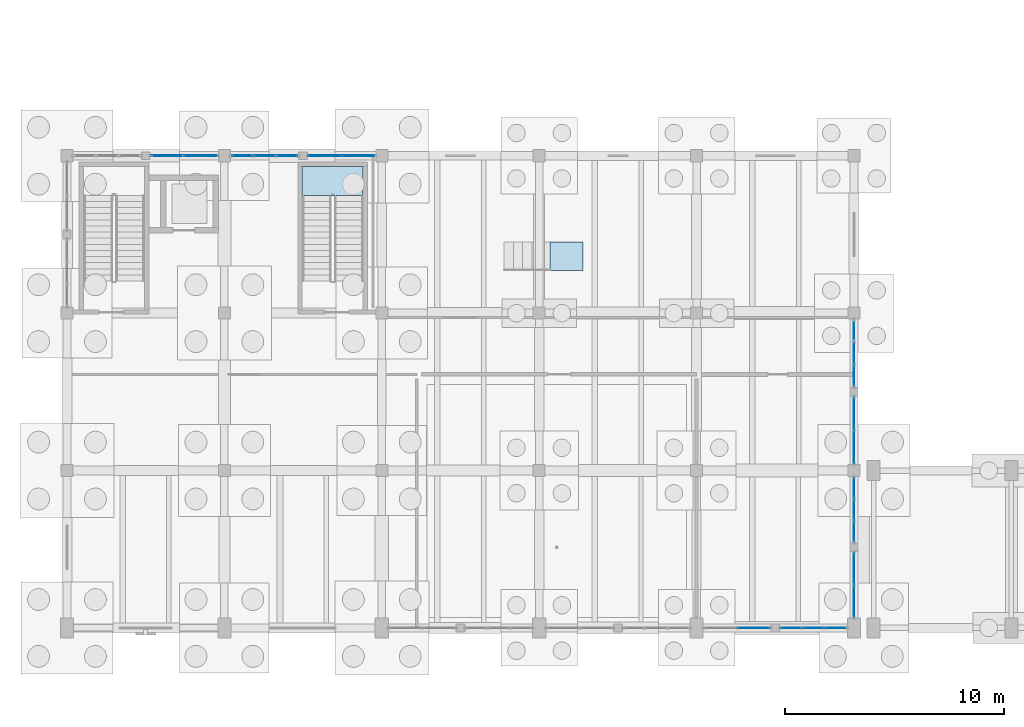
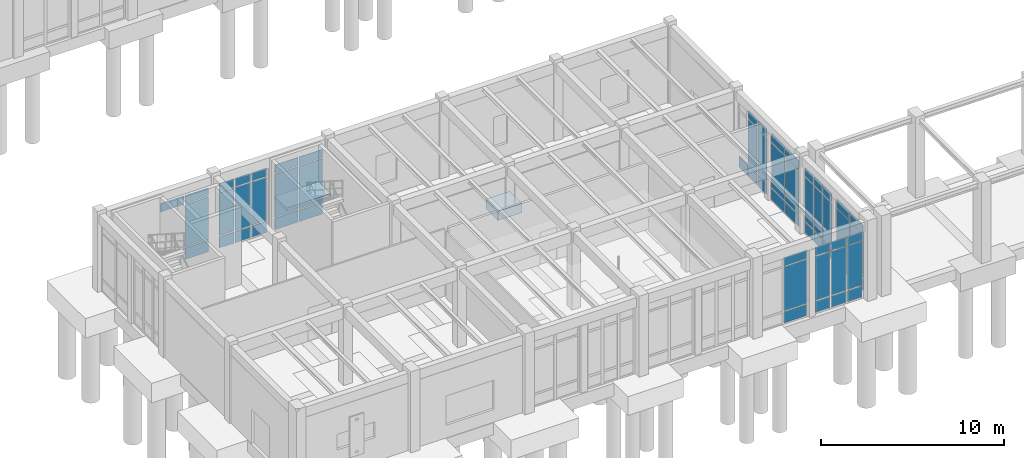
# One storey, part 50 of 93: 59 plates, 2 slabs, 10 elements without a shape of their own.
"""IFC4 building model written with IfcOpenShell, lengths in metres."""

from ifc_helpers import new_model, si_unit, direction, frame, origin, origin_2d, place, context, subcontext, project, spatial, polyline, rectangle, outline, extrude, material, layer, layer_set, type_object, element, aggregate, save


model = new_model("IFC4")

# Units and contexts
model_context = context("Model", 3, precision=1e-05, world=origin(), true_north=direction((0.0, 1.0)))
body_context = subcontext(model_context, "Body", "Model", "MODEL_VIEW")
ifc_project = project(units=[si_unit("LENGTHUNIT", "METRE"), si_unit("AREAUNIT", "SQUARE_METRE"), si_unit("VOLUMEUNIT", "CUBIC_METRE"), si_unit("PLANEANGLEUNIT", "RADIAN"), si_unit("MASSUNIT", "GRAM", prefix="KILO")], contexts=[model_context])

# Site, building, storey
site_placement = place(None, origin())
site = spatial("IfcSite", under=ifc_project, at=site_placement, CompositionType="ELEMENT")
building_placement = place(site_placement, origin())
building = spatial("IfcBuilding", under=site, at=building_placement, Name="Koriwan Promenade Central Fire Station", CompositionType="ELEMENT")
storey_placement = place(building_placement, origin())
storey = spatial("IfcBuildingStorey", under=building, at=storey_placement, Name="L00", CompositionType="ELEMENT", Elevation=0.0)

# Curtain wall, plates
ifc_material_1 = material(Name="Aluminium EN AW-6063-T6 and low-E glazing", Category="aluminium")
ifc_layer_1 = layer(ifc_material_1, 0.159912109375, Name="Aluminium EN AW-6063-T6 and low-E glazing")
ifc_layer_set_1 = layer_set([ifc_layer_1], Name="Aluminium EN AW-6063-T6 and low-E glazing")
curtain_wall_type_1 = type_object("IfcCurtainWallType", Name="CurtainWall_16_304x449", PredefinedType="USERDEFINED", material=ifc_layer_set_1)
curtain_wall_1_placement = place(storey_placement, origin())
curtain_wall_1 = element("IfcCurtainWall", 1, at=curtain_wall_1_placement, inside=storey, type_object=curtain_wall_type_1, Name="V3 L00 unitised curtain wall 051", ObjectType="UNITISED CURTAIN WALL", PredefinedType="USERDEFINED")
ifc_material_2 = material(Name="Low-E laminated double glazing", Category="glass")
ifc_layer_2 = layer(ifc_material_2, 0.028076171875, Name="Low-E laminated double glazing")
ifc_layer_set_2 = layer_set([ifc_layer_2], Name="Low-E laminated double glazing")
plate_type_1 = type_object("IfcPlateType", Name="CWPanel_28", PredefinedType="CURTAIN_PANEL", material=ifc_layer_set_2)
plate_1_placement = place(storey_placement, frame((36.0, 1.2255859375, 0.06494140625), z_axis=(0.0, 0.0, 1.0), x_axis=(0.0, 1.0, 0.0)))
plate_1 = element("IfcPlate", 2, at=plate_1_placement, type_object=plate_type_1, Name="CW-16 panel 1.1", PredefinedType="CURTAIN_PANEL", context=body_context, shape_type="SweptSolid", body=[
    extrude(rectangle(XDim=1.421142578125, YDim=0.028076171875, at=origin_2d()), origin(), (0.0, 0.0, 1.0), 0.75244140625),
])
plate_2_placement = place(storey_placement, frame((36.0, 1.2255859375, 0.88232421875), z_axis=(0.0, 0.0, 1.0), x_axis=(0.0, 1.0, 0.0)))
plate_2 = element("IfcPlate", 3, at=plate_2_placement, type_object=plate_type_1, Name="CW-16 panel 1.2", PredefinedType="CURTAIN_PANEL", context=body_context, shape_type="SweptSolid", body=[
    extrude(rectangle(XDim=1.421142578125, YDim=0.028076171875, at=origin_2d()), origin(), (0.0, 0.0, 1.0), 2.925048828125),
])
plate_3_placement = place(storey_placement, frame((36.0, 1.2255859375, 3.87255859375), z_axis=(0.0, 0.0, 1.0), x_axis=(0.0, 1.0, 0.0)))
plate_3 = element("IfcPlate", 4, at=plate_3_placement, type_object=plate_type_1, Name="CW-16 panel 1.3", PredefinedType="CURTAIN_PANEL", context=body_context, shape_type="SweptSolid", body=[
    extrude(rectangle(XDim=1.421142578125, YDim=0.028076171875, at=origin_2d()), origin(), (0.0, 0.0, 1.0), 0.552490234375),
])
plate_4_placement = place(storey_placement, frame((36.0, 2.7119140625, 0.06494140625), z_axis=(0.0, 0.0, 1.0), x_axis=(0.0, 1.0, 0.0)))
plate_4 = element("IfcPlate", 5, at=plate_4_placement, type_object=plate_type_1, Name="CW-16 panel 2.1", PredefinedType="CURTAIN_PANEL", context=body_context, shape_type="SweptSolid", body=[
    extrude(rectangle(XDim=1.421142578125, YDim=0.028076171875, at=origin_2d()), origin(), (0.0, 0.0, 1.0), 0.75244140625),
])
plate_5_placement = place(storey_placement, frame((36.0, 2.7119140625, 0.88232421875), z_axis=(0.0, 0.0, 1.0), x_axis=(0.0, 1.0, 0.0)))
plate_5 = element("IfcPlate", 6, at=plate_5_placement, type_object=plate_type_1, Name="CW-16 panel 2.2", PredefinedType="CURTAIN_PANEL", context=body_context, shape_type="SweptSolid", body=[
    extrude(rectangle(XDim=1.421142578125, YDim=0.028076171875, at=origin_2d()), origin(), (0.0, 0.0, 1.0), 2.925048828125),
])
plate_6_placement = place(storey_placement, frame((36.0, 2.7119140625, 3.87255859375), z_axis=(0.0, 0.0, 1.0), x_axis=(0.0, 1.0, 0.0)))
plate_6 = element("IfcPlate", 7, at=plate_6_placement, type_object=plate_type_1, Name="CW-16 panel 2.3", PredefinedType="CURTAIN_PANEL", context=body_context, shape_type="SweptSolid", body=[
    extrude(rectangle(XDim=1.421142578125, YDim=0.028076171875, at=origin_2d()), origin(), (0.0, 0.0, 1.0), 0.552490234375),
])
aggregate(curtain_wall_1, [plate_1, plate_2, plate_3, plate_4, plate_5, plate_6])

ifc_layer_3 = layer(ifc_material_1, 0.159912109375, Name="Aluminium EN AW-6063-T6 and low-E glazing")
ifc_layer_set_3 = layer_set([ifc_layer_3], Name="Aluminium EN AW-6063-T6 and low-E glazing")
curtain_wall_type_2 = type_object("IfcCurtainWallType", Name="CurtainWall_18_312x454", PredefinedType="USERDEFINED", material=ifc_layer_set_3)
curtain_wall_2_placement = place(storey_placement, origin())
curtain_wall_2 = element("IfcCurtainWall", 8, at=curtain_wall_2_placement, inside=storey, type_object=curtain_wall_type_2, Name="V3 L00 unitised curtain wall 053", ObjectType="UNITISED CURTAIN WALL", PredefinedType="USERDEFINED")
plate_7_placement = place(storey_placement, frame((36.0, 8.2724609375, 0.06494140625), z_axis=(0.0, 0.0, 1.0), x_axis=(0.0, 1.0, 0.0)))
plate_7 = element("IfcPlate", 9, at=plate_7_placement, type_object=plate_type_1, Name="CW-18 panel 1.1", PredefinedType="CURTAIN_PANEL", context=body_context, shape_type="SweptSolid", body=[
    extrude(rectangle(XDim=1.465087890625, YDim=0.028076171875, at=origin_2d()), origin(), (0.0, 0.0, 1.0), 0.75244140625),
])
plate_8_placement = place(storey_placement, frame((36.0, 8.2724609375, 0.882568359375), z_axis=(0.0, 0.0, 1.0), x_axis=(0.0, 1.0, 0.0)))
plate_8 = element("IfcPlate", 10, at=plate_8_placement, type_object=plate_type_1, Name="CW-18 panel 1.2", PredefinedType="CURTAIN_PANEL", context=body_context, shape_type="SweptSolid", body=[
    extrude(rectangle(XDim=1.465087890625, YDim=0.028076171875, at=origin_2d()), origin(), (0.0, 0.0, 1.0), 2.97509765625),
])
plate_9_placement = place(storey_placement, frame((36.0, 8.2724609375, 3.92236328125), z_axis=(0.0, 0.0, 1.0), x_axis=(0.0, 1.0, 0.0)))
plate_9 = element("IfcPlate", 11, at=plate_9_placement, type_object=plate_type_1, Name="CW-18 panel 1.3", PredefinedType="CURTAIN_PANEL", context=body_context, shape_type="SweptSolid", body=[
    extrude(rectangle(XDim=1.465087890625, YDim=0.028076171875, at=origin_2d()), origin(), (0.0, 0.0, 1.0), 0.552490234375),
])
plate_10_placement = place(storey_placement, frame((36.0, 9.802490234375, 0.06494140625), z_axis=(0.0, 0.0, 1.0), x_axis=(0.0, 1.0, 0.0)))
plate_10 = element("IfcPlate", 12, at=plate_10_placement, type_object=plate_type_1, Name="CW-18 panel 2.1", PredefinedType="CURTAIN_PANEL", context=body_context, shape_type="SweptSolid", body=[
    extrude(rectangle(XDim=1.465087890625, YDim=0.028076171875, at=origin_2d()), origin(), (0.0, 0.0, 1.0), 0.75244140625),
])
plate_11_placement = place(storey_placement, frame((36.0, 9.802490234375, 0.882568359375), z_axis=(0.0, 0.0, 1.0), x_axis=(0.0, 1.0, 0.0)))
plate_11 = element("IfcPlate", 13, at=plate_11_placement, type_object=plate_type_1, Name="CW-18 panel 2.2", PredefinedType="CURTAIN_PANEL", context=body_context, shape_type="SweptSolid", body=[
    extrude(rectangle(XDim=1.465087890625, YDim=0.028076171875, at=origin_2d()), origin(), (0.0, 0.0, 1.0), 2.97509765625),
])
plate_12_placement = place(storey_placement, frame((36.0, 9.802490234375, 3.92236328125), z_axis=(0.0, 0.0, 1.0), x_axis=(0.0, 1.0, 0.0)))
plate_12 = element("IfcPlate", 14, at=plate_12_placement, type_object=plate_type_1, Name="CW-18 panel 2.3", PredefinedType="CURTAIN_PANEL", context=body_context, shape_type="SweptSolid", body=[
    extrude(rectangle(XDim=1.465087890625, YDim=0.028076171875, at=origin_2d()), origin(), (0.0, 0.0, 1.0), 0.552490234375),
])
aggregate(curtain_wall_2, [plate_7, plate_8, plate_9, plate_10, plate_11, plate_12])

ifc_layer_4 = layer(ifc_material_1, 0.159912109375, Name="Aluminium EN AW-6063-T6 and low-E glazing")
ifc_layer_set_4 = layer_set([ifc_layer_4], Name="Aluminium EN AW-6063-T6 and low-E glazing")
curtain_wall_type_3 = type_object("IfcCurtainWallType", Name="CurtainWall_20_312x444", PredefinedType="USERDEFINED", material=ifc_layer_set_4)
curtain_wall_3_placement = place(storey_placement, origin())
curtain_wall_3 = element("IfcCurtainWall", 15, at=curtain_wall_3_placement, inside=storey, type_object=curtain_wall_type_3, Name="V3 L00 unitised curtain wall 055", ObjectType="UNITISED CURTAIN WALL", PredefinedType="USERDEFINED")
plate_13_placement = place(storey_placement, frame((13.327392578125, 21.60009765625, 0.06494140625), z_axis=(0.0, 0.0, 1.0), x_axis=(-1.0, 0.0, 0.0)))
plate_13 = element("IfcPlate", 16, at=plate_13_placement, type_object=plate_type_1, Name="CW-20 panel 1.1", PredefinedType="CURTAIN_PANEL", context=body_context, shape_type="SweptSolid", body=[
    extrude(rectangle(XDim=1.465087890625, YDim=0.028076171875, at=origin_2d()), origin(), (0.0, 0.0, 1.0), 0.75244140625),
])
plate_14_placement = place(storey_placement, frame((13.327392578125, 21.60009765625, 0.882568359375), z_axis=(0.0, 0.0, 1.0), x_axis=(-1.0, 0.0, 0.0)))
plate_14 = element("IfcPlate", 17, at=plate_14_placement, type_object=plate_type_1, Name="CW-20 panel 1.2", PredefinedType="CURTAIN_PANEL", context=body_context, shape_type="SweptSolid", body=[
    extrude(rectangle(XDim=1.465087890625, YDim=0.028076171875, at=origin_2d()), origin(), (0.0, 0.0, 1.0), 2.875),
])
plate_15_placement = place(storey_placement, frame((13.327392578125, 21.60009765625, 3.822265625), z_axis=(0.0, 0.0, 1.0), x_axis=(-1.0, 0.0, 0.0)))
plate_15 = element("IfcPlate", 18, at=plate_15_placement, type_object=plate_type_1, Name="CW-20 panel 1.3", PredefinedType="CURTAIN_PANEL", context=body_context, shape_type="SweptSolid", body=[
    extrude(rectangle(XDim=1.465087890625, YDim=0.028076171875, at=origin_2d()), origin(), (0.0, 0.0, 1.0), 0.552490234375),
])
plate_16_placement = place(storey_placement, frame((11.797607421875, 21.60009765625, 0.06494140625), z_axis=(0.0, 0.0, 1.0), x_axis=(-1.0, 0.0, 0.0)))
plate_16 = element("IfcPlate", 19, at=plate_16_placement, type_object=plate_type_1, Name="CW-20 panel 2.1", PredefinedType="CURTAIN_PANEL", context=body_context, shape_type="SweptSolid", body=[
    extrude(rectangle(XDim=1.465087890625, YDim=0.028076171875, at=origin_2d()), origin(), (0.0, 0.0, 1.0), 0.75244140625),
])
plate_17_placement = place(storey_placement, frame((11.797607421875, 21.60009765625, 0.882568359375), z_axis=(0.0, 0.0, 1.0), x_axis=(-1.0, 0.0, 0.0)))
plate_17 = element("IfcPlate", 20, at=plate_17_placement, type_object=plate_type_1, Name="CW-20 panel 2.2", PredefinedType="CURTAIN_PANEL", context=body_context, shape_type="SweptSolid", body=[
    extrude(rectangle(XDim=1.465087890625, YDim=0.028076171875, at=origin_2d()), origin(), (0.0, 0.0, 1.0), 2.875),
])
plate_18_placement = place(storey_placement, frame((11.797607421875, 21.60009765625, 3.822265625), z_axis=(0.0, 0.0, 1.0), x_axis=(-1.0, 0.0, 0.0)))
plate_18 = element("IfcPlate", 21, at=plate_18_placement, type_object=plate_type_1, Name="CW-20 panel 2.3", PredefinedType="CURTAIN_PANEL", context=body_context, shape_type="SweptSolid", body=[
    extrude(rectangle(XDim=1.465087890625, YDim=0.028076171875, at=origin_2d()), origin(), (0.0, 0.0, 1.0), 0.552490234375),
])
aggregate(curtain_wall_3, [plate_13, plate_14, plate_15, plate_16, plate_17, plate_18])

ifc_layer_5 = layer(ifc_material_1, 0.159912109375, Name="Aluminium EN AW-6063-T6 and low-E glazing")
ifc_layer_set_5 = layer_set([ifc_layer_5], Name="Aluminium EN AW-6063-T6 and low-E glazing")
curtain_wall_type_4 = type_object("IfcCurtainWallType", Name="CurtainWall_22_312x439", PredefinedType="USERDEFINED", material=ifc_layer_set_5)
curtain_wall_4_placement = place(storey_placement, origin())
curtain_wall_4 = element("IfcCurtainWall", 22, at=curtain_wall_4_placement, inside=storey, type_object=curtain_wall_type_4, Name="V3 L00 unitised curtain wall 057", ObjectType="UNITISED CURTAIN WALL", PredefinedType="USERDEFINED")
plate_19_placement = place(storey_placement, frame((6.12744140625, 21.60009765625, 0.06494140625), z_axis=(0.0, 0.0, 1.0), x_axis=(-1.0, 0.0, 0.0)))
plate_19 = element("IfcPlate", 23, at=plate_19_placement, type_object=plate_type_1, Name="CW-22 panel 1.1", PredefinedType="CURTAIN_PANEL", context=body_context, shape_type="SweptSolid", body=[
    extrude(rectangle(XDim=1.465087890625, YDim=0.028076171875, at=origin_2d()), origin(), (0.0, 0.0, 1.0), 0.75244140625),
])
plate_20_placement = place(storey_placement, frame((6.12744140625, 21.60009765625, 0.88232421875), z_axis=(0.0, 0.0, 1.0), x_axis=(-1.0, 0.0, 0.0)))
plate_20 = element("IfcPlate", 24, at=plate_20_placement, type_object=plate_type_1, Name="CW-22 panel 1.2", PredefinedType="CURTAIN_PANEL", context=body_context, shape_type="SweptSolid", body=[
    extrude(rectangle(XDim=1.465087890625, YDim=0.028076171875, at=origin_2d()), origin(), (0.0, 0.0, 1.0), 2.824951171875),
])
plate_21_placement = place(storey_placement, frame((6.12744140625, 21.60009765625, 3.7724609375), z_axis=(0.0, 0.0, 1.0), x_axis=(-1.0, 0.0, 0.0)))
plate_21 = element("IfcPlate", 25, at=plate_21_placement, type_object=plate_type_1, Name="CW-22 panel 1.3", PredefinedType="CURTAIN_PANEL", context=body_context, shape_type="SweptSolid", body=[
    extrude(rectangle(XDim=1.465087890625, YDim=0.028076171875, at=origin_2d()), origin(), (0.0, 0.0, 1.0), 0.552490234375),
])
plate_22_placement = place(storey_placement, frame((4.597412109375, 21.60009765625, 3.7724609375), z_axis=(0.0, 0.0, 1.0), x_axis=(-1.0, 0.0, 0.0)))
plate_22 = element("IfcPlate", 26, at=plate_22_placement, type_object=plate_type_1, Name="CW-22 panel 2.3", PredefinedType="CURTAIN_PANEL", context=body_context, shape_type="SweptSolid", body=[
    extrude(rectangle(XDim=1.465087890625, YDim=0.028076171875, at=origin_2d()), origin(), (0.0, 0.0, 1.0), 0.552490234375),
])
aggregate(curtain_wall_4, [plate_19, plate_20, plate_21, plate_22])

ifc_layer_6 = layer(ifc_material_1, 0.159912109375, Name="Aluminium EN AW-6063-T6 and low-E glazing")
ifc_layer_set_6 = layer_set([ifc_layer_6], Name="Aluminium EN AW-6063-T6 and low-E glazing")
curtain_wall_type_5 = type_object("IfcCurtainWallType", Name="CurtainWall_24_310x449", PredefinedType="USERDEFINED", material=ifc_layer_set_6)
curtain_wall_5_placement = place(storey_placement, origin())
curtain_wall_5 = element("IfcCurtainWall", 27, at=curtain_wall_5_placement, inside=storey, type_object=curtain_wall_type_5, Name="V3 L00 unitised curtain wall 065", ObjectType="UNITISED CURTAIN WALL", PredefinedType="USERDEFINED")
plate_23_placement = place(storey_placement, frame((31.40869140625, 0.0, 0.06494140625), z_axis=(0.0, 0.0, 1.0), x_axis=(1.0, 0.0, 0.0)))
plate_23 = element("IfcPlate", 28, at=plate_23_placement, type_object=plate_type_1, Name="CW-24 panel 2.1", PredefinedType="CURTAIN_PANEL", context=body_context, shape_type="SweptSolid", body=[
    extrude(rectangle(XDim=1.452392578125, YDim=0.028076171875, at=origin_2d()), origin(), (0.0, 0.0, 1.0), 0.75244140625),
])
plate_24_placement = place(storey_placement, frame((31.40869140625, 0.0, 0.88232421875), z_axis=(0.0, 0.0, 1.0), x_axis=(1.0, 0.0, 0.0)))
plate_24 = element("IfcPlate", 29, at=plate_24_placement, type_object=plate_type_1, Name="CW-24 panel 2.2", PredefinedType="CURTAIN_PANEL", context=body_context, shape_type="SweptSolid", body=[
    extrude(rectangle(XDim=1.452392578125, YDim=0.028076171875, at=origin_2d()), origin(), (0.0, 0.0, 1.0), 2.925048828125),
])
plate_25_placement = place(storey_placement, frame((31.40869140625, 0.0, 3.87255859375), z_axis=(0.0, 0.0, 1.0), x_axis=(1.0, 0.0, 0.0)))
plate_25 = element("IfcPlate", 30, at=plate_25_placement, type_object=plate_type_1, Name="CW-24 panel 2.3", PredefinedType="CURTAIN_PANEL", context=body_context, shape_type="SweptSolid", body=[
    extrude(rectangle(XDim=1.452392578125, YDim=0.028076171875, at=origin_2d()), origin(), (0.0, 0.0, 1.0), 0.552490234375),
])
aggregate(curtain_wall_5, [plate_23, plate_24, plate_25])

ifc_layer_7 = layer(ifc_material_1, 0.159912109375, Name="Aluminium EN AW-6063-T6 and low-E glazing")
ifc_layer_set_7 = layer_set([ifc_layer_7], Name="Aluminium EN AW-6063-T6 and low-E glazing")
curtain_wall_type_6 = type_object("IfcCurtainWallType", Name="CurtainWall_17_304x449", PredefinedType="USERDEFINED", material=ifc_layer_set_7)
curtain_wall_6_placement = place(storey_placement, origin())
curtain_wall_6 = element("IfcCurtainWall", 31, at=curtain_wall_6_placement, inside=storey, type_object=curtain_wall_type_6, Name="V3 L00 unitised curtain wall 052", ObjectType="UNITISED CURTAIN WALL", PredefinedType="USERDEFINED")
ifc_material_3 = material(Name="Solar-control low-E acoustic glazing", Category="glass")
ifc_layer_8 = layer(ifc_material_3, 0.031982421875, Name="Solar-control low-E acoustic glazing")
ifc_layer_set_8 = layer_set([ifc_layer_8], Name="Solar-control low-E acoustic glazing")
plate_type_2 = type_object("IfcPlateType", Name="CWPanel_32", PredefinedType="CURTAIN_PANEL", material=ifc_layer_set_8)
plate_26_placement = place(storey_placement, frame((36.0, 4.41259765625, 0.0751953125), z_axis=(0.0, 0.0, 1.0), x_axis=(0.0, 1.0, 0.0)))
plate_26 = element("IfcPlate", 32, at=plate_26_placement, type_object=plate_type_2, Name="CW-17 panel 1.1", PredefinedType="CURTAIN_PANEL", context=body_context, shape_type="SweptSolid", body=[
    extrude(rectangle(XDim=0.89990234375, YDim=0.031982421875, at=origin_2d()), origin(), (0.0, 0.0, 1.0), 0.737548828125),
])
plate_27_placement = place(storey_placement, frame((36.0, 4.41259765625, 0.887451171875), z_axis=(0.0, 0.0, 1.0), x_axis=(0.0, 1.0, 0.0)))
plate_27 = element("IfcPlate", 33, at=plate_27_placement, type_object=plate_type_2, Name="CW-17 panel 1.2", PredefinedType="CURTAIN_PANEL", context=body_context, shape_type="SweptSolid", body=[
    extrude(rectangle(XDim=0.89990234375, YDim=0.031982421875, at=origin_2d()), origin(), (0.0, 0.0, 1.0), 2.9150390625),
])
plate_28_placement = place(storey_placement, frame((36.0, 4.41259765625, 3.87744140625), z_axis=(0.0, 0.0, 1.0), x_axis=(0.0, 1.0, 0.0)))
plate_28 = element("IfcPlate", 34, at=plate_28_placement, type_object=plate_type_2, Name="CW-17 panel 1.3", PredefinedType="CURTAIN_PANEL", context=body_context, shape_type="SweptSolid", body=[
    extrude(rectangle(XDim=0.89990234375, YDim=0.031982421875, at=origin_2d()), origin(), (0.0, 0.0, 1.0), 0.53759765625),
])
plate_29_placement = place(storey_placement, frame((36.0, 5.40625, 0.0751953125), z_axis=(0.0, 0.0, 1.0), x_axis=(0.0, 1.0, 0.0)))
plate_29 = element("IfcPlate", 35, at=plate_29_placement, type_object=plate_type_2, Name="CW-17 panel 2.1", PredefinedType="CURTAIN_PANEL", context=body_context, shape_type="SweptSolid", body=[
    extrude(rectangle(XDim=0.9375, YDim=0.031982421875, at=origin_2d()), origin(), (0.0, 0.0, 1.0), 0.737548828125),
])
plate_30_placement = place(storey_placement, frame((36.0, 5.40625, 0.887451171875), z_axis=(0.0, 0.0, 1.0), x_axis=(0.0, 1.0, 0.0)))
plate_30 = element("IfcPlate", 36, at=plate_30_placement, type_object=plate_type_2, Name="CW-17 panel 2.2", PredefinedType="CURTAIN_PANEL", context=body_context, shape_type="SweptSolid", body=[
    extrude(rectangle(XDim=0.9375, YDim=0.031982421875, at=origin_2d()), origin(), (0.0, 0.0, 1.0), 2.9150390625),
])
plate_31_placement = place(storey_placement, frame((36.0, 5.40625, 3.87744140625), z_axis=(0.0, 0.0, 1.0), x_axis=(0.0, 1.0, 0.0)))
plate_31 = element("IfcPlate", 37, at=plate_31_placement, type_object=plate_type_2, Name="CW-17 panel 2.3", PredefinedType="CURTAIN_PANEL", context=body_context, shape_type="SweptSolid", body=[
    extrude(rectangle(XDim=0.9375, YDim=0.031982421875, at=origin_2d()), origin(), (0.0, 0.0, 1.0), 0.53759765625),
])
plate_32_placement = place(storey_placement, frame((36.0, 6.39990234375, 0.0751953125), z_axis=(0.0, 0.0, 1.0), x_axis=(0.0, 1.0, 0.0)))
plate_32 = element("IfcPlate", 38, at=plate_32_placement, type_object=plate_type_2, Name="CW-17 panel 3.1", PredefinedType="CURTAIN_PANEL", context=body_context, shape_type="SweptSolid", body=[
    extrude(rectangle(XDim=0.89990234375, YDim=0.031982421875, at=origin_2d()), origin(), (0.0, 0.0, 1.0), 0.737548828125),
])
plate_33_placement = place(storey_placement, frame((36.0, 6.39990234375, 0.887451171875), z_axis=(0.0, 0.0, 1.0), x_axis=(0.0, 1.0, 0.0)))
plate_33 = element("IfcPlate", 39, at=plate_33_placement, type_object=plate_type_2, Name="CW-17 panel 3.2", PredefinedType="CURTAIN_PANEL", context=body_context, shape_type="SweptSolid", body=[
    extrude(rectangle(XDim=0.89990234375, YDim=0.031982421875, at=origin_2d()), origin(), (0.0, 0.0, 1.0), 2.9150390625),
])
plate_34_placement = place(storey_placement, frame((36.0, 6.39990234375, 3.87744140625), z_axis=(0.0, 0.0, 1.0), x_axis=(0.0, 1.0, 0.0)))
plate_34 = element("IfcPlate", 40, at=plate_34_placement, type_object=plate_type_2, Name="CW-17 panel 3.3", PredefinedType="CURTAIN_PANEL", context=body_context, shape_type="SweptSolid", body=[
    extrude(rectangle(XDim=0.89990234375, YDim=0.031982421875, at=origin_2d()), origin(), (0.0, 0.0, 1.0), 0.53759765625),
])
aggregate(curtain_wall_6, [plate_26, plate_27, plate_28, plate_29, plate_30, plate_31, plate_32, plate_33, plate_34])

ifc_layer_9 = layer(ifc_material_1, 0.159912109375, Name="Aluminium EN AW-6063-T6 and low-E glazing")
ifc_layer_set_9 = layer_set([ifc_layer_9], Name="Aluminium EN AW-6063-T6 and low-E glazing")
curtain_wall_type_7 = type_object("IfcCurtainWallType", Name="CurtainWall_19_312x454", PredefinedType="USERDEFINED", material=ifc_layer_set_9)
curtain_wall_7_placement = place(storey_placement, origin())
curtain_wall_7 = element("IfcCurtainWall", 41, at=curtain_wall_7_placement, inside=storey, type_object=curtain_wall_type_7, Name="V3 L00 unitised curtain wall 054", ObjectType="UNITISED CURTAIN WALL", PredefinedType="USERDEFINED")
plate_35_placement = place(storey_placement, frame((36.0, 11.53955078125, 0.0751953125), z_axis=(0.0, 0.0, 1.0), x_axis=(0.0, 1.0, 0.0)))
plate_35 = element("IfcPlate", 42, at=plate_35_placement, type_object=plate_type_2, Name="CW-19 panel 1.1", PredefinedType="CURTAIN_PANEL", context=body_context, shape_type="SweptSolid", body=[
    extrude(rectangle(XDim=0.92919921875, YDim=0.031982421875, at=origin_2d()), origin(), (0.0, 0.0, 1.0), 0.737548828125),
])
plate_36_placement = place(storey_placement, frame((36.0, 11.53955078125, 0.8876953125), z_axis=(0.0, 0.0, 1.0), x_axis=(0.0, 1.0, 0.0)))
plate_36 = element("IfcPlate", 43, at=plate_36_placement, type_object=plate_type_2, Name="CW-19 panel 1.2", PredefinedType="CURTAIN_PANEL", context=body_context, shape_type="SweptSolid", body=[
    extrude(rectangle(XDim=0.92919921875, YDim=0.031982421875, at=origin_2d()), origin(), (0.0, 0.0, 1.0), 2.965087890625),
])
plate_37_placement = place(storey_placement, frame((36.0, 11.53955078125, 3.927490234375), z_axis=(0.0, 0.0, 1.0), x_axis=(0.0, 1.0, 0.0)))
plate_37 = element("IfcPlate", 44, at=plate_37_placement, type_object=plate_type_2, Name="CW-19 panel 1.3", PredefinedType="CURTAIN_PANEL", context=body_context, shape_type="SweptSolid", body=[
    extrude(rectangle(XDim=0.92919921875, YDim=0.031982421875, at=origin_2d()), origin(), (0.0, 0.0, 1.0), 0.53759765625),
])
plate_38_placement = place(storey_placement, frame((36.0, 12.5625, 0.0751953125), z_axis=(0.0, 0.0, 1.0), x_axis=(0.0, 1.0, 0.0)))
plate_38 = element("IfcPlate", 45, at=plate_38_placement, type_object=plate_type_2, Name="CW-19 panel 2.1", PredefinedType="CURTAIN_PANEL", context=body_context, shape_type="SweptSolid", body=[
    extrude(rectangle(XDim=0.966552734375, YDim=0.031982421875, at=origin_2d()), origin(), (0.0, 0.0, 1.0), 0.737548828125),
])
plate_39_placement = place(storey_placement, frame((36.0, 12.5625, 0.8876953125), z_axis=(0.0, 0.0, 1.0), x_axis=(0.0, 1.0, 0.0)))
plate_39 = element("IfcPlate", 46, at=plate_39_placement, type_object=plate_type_2, Name="CW-19 panel 2.2", PredefinedType="CURTAIN_PANEL", context=body_context, shape_type="SweptSolid", body=[
    extrude(rectangle(XDim=0.966552734375, YDim=0.031982421875, at=origin_2d()), origin(), (0.0, 0.0, 1.0), 2.965087890625),
])
plate_40_placement = place(storey_placement, frame((36.0, 12.5625, 3.927490234375), z_axis=(0.0, 0.0, 1.0), x_axis=(0.0, 1.0, 0.0)))
plate_40 = element("IfcPlate", 47, at=plate_40_placement, type_object=plate_type_2, Name="CW-19 panel 2.3", PredefinedType="CURTAIN_PANEL", context=body_context, shape_type="SweptSolid", body=[
    extrude(rectangle(XDim=0.966552734375, YDim=0.031982421875, at=origin_2d()), origin(), (0.0, 0.0, 1.0), 0.53759765625),
])
plate_41_placement = place(storey_placement, frame((36.0, 13.58544921875, 0.0751953125), z_axis=(0.0, 0.0, 1.0), x_axis=(0.0, 1.0, 0.0)))
plate_41 = element("IfcPlate", 48, at=plate_41_placement, type_object=plate_type_2, Name="CW-19 panel 3.1", PredefinedType="CURTAIN_PANEL", context=body_context, shape_type="SweptSolid", body=[
    extrude(rectangle(XDim=0.92919921875, YDim=0.031982421875, at=origin_2d()), origin(), (0.0, 0.0, 1.0), 0.737548828125),
])
aggregate(curtain_wall_7, [plate_35, plate_36, plate_37, plate_38, plate_39, plate_40, plate_41])

ifc_layer_10 = layer(ifc_material_1, 0.159912109375, Name="Aluminium EN AW-6063-T6 and low-E glazing")
ifc_layer_set_10 = layer_set([ifc_layer_10], Name="Aluminium EN AW-6063-T6 and low-E glazing")
curtain_wall_type_8 = type_object("IfcCurtainWallType", Name="CurtainWall_21_312x444", PredefinedType="USERDEFINED", material=ifc_layer_set_10)
curtain_wall_8_placement = place(storey_placement, origin())
curtain_wall_8 = element("IfcCurtainWall", 49, at=curtain_wall_8_placement, inside=storey, type_object=curtain_wall_type_8, Name="V3 L00 unitised curtain wall 056", ObjectType="UNITISED CURTAIN WALL", PredefinedType="USERDEFINED")
plate_42_placement = place(storey_placement, frame((10.060302734375, 21.60009765625, 0.0751953125), z_axis=(0.0, 0.0, 1.0), x_axis=(-1.0, 0.0, 0.0)))
plate_42 = element("IfcPlate", 50, at=plate_42_placement, type_object=plate_type_2, Name="CW-21 panel 1.1", PredefinedType="CURTAIN_PANEL", context=body_context, shape_type="SweptSolid", body=[
    extrude(rectangle(XDim=0.92919921875, YDim=0.031982421875, at=origin_2d()), origin(), (0.0, 0.0, 1.0), 0.737548828125),
])
plate_43_placement = place(storey_placement, frame((10.060302734375, 21.60009765625, 0.8876953125), z_axis=(0.0, 0.0, 1.0), x_axis=(-1.0, 0.0, 0.0)))
plate_43 = element("IfcPlate", 51, at=plate_43_placement, type_object=plate_type_2, Name="CW-21 panel 1.2", PredefinedType="CURTAIN_PANEL", context=body_context, shape_type="SweptSolid", body=[
    extrude(rectangle(XDim=0.92919921875, YDim=0.031982421875, at=origin_2d()), origin(), (0.0, 0.0, 1.0), 2.864990234375),
])
plate_44_placement = place(storey_placement, frame((10.060302734375, 21.60009765625, 3.827392578125), z_axis=(0.0, 0.0, 1.0), x_axis=(-1.0, 0.0, 0.0)))
plate_44 = element("IfcPlate", 52, at=plate_44_placement, type_object=plate_type_2, Name="CW-21 panel 1.3", PredefinedType="CURTAIN_PANEL", context=body_context, shape_type="SweptSolid", body=[
    extrude(rectangle(XDim=0.92919921875, YDim=0.031982421875, at=origin_2d()), origin(), (0.0, 0.0, 1.0), 0.53759765625),
])
plate_45_placement = place(storey_placement, frame((9.03759765625, 21.60009765625, 0.0751953125), z_axis=(0.0, 0.0, 1.0), x_axis=(-1.0, 0.0, 0.0)))
plate_45 = element("IfcPlate", 53, at=plate_45_placement, type_object=plate_type_2, Name="CW-21 panel 2.1", PredefinedType="CURTAIN_PANEL", context=body_context, shape_type="SweptSolid", body=[
    extrude(rectangle(XDim=0.966552734375, YDim=0.031982421875, at=origin_2d()), origin(), (0.0, 0.0, 1.0), 0.737548828125),
])
plate_46_placement = place(storey_placement, frame((9.03759765625, 21.60009765625, 0.8876953125), z_axis=(0.0, 0.0, 1.0), x_axis=(-1.0, 0.0, 0.0)))
plate_46 = element("IfcPlate", 54, at=plate_46_placement, type_object=plate_type_2, Name="CW-21 panel 2.2", PredefinedType="CURTAIN_PANEL", context=body_context, shape_type="SweptSolid", body=[
    extrude(rectangle(XDim=0.966552734375, YDim=0.031982421875, at=origin_2d()), origin(), (0.0, 0.0, 1.0), 2.864990234375),
])
plate_47_placement = place(storey_placement, frame((9.03759765625, 21.60009765625, 3.827392578125), z_axis=(0.0, 0.0, 1.0), x_axis=(-1.0, 0.0, 0.0)))
plate_47 = element("IfcPlate", 55, at=plate_47_placement, type_object=plate_type_2, Name="CW-21 panel 2.3", PredefinedType="CURTAIN_PANEL", context=body_context, shape_type="SweptSolid", body=[
    extrude(rectangle(XDim=0.966552734375, YDim=0.031982421875, at=origin_2d()), origin(), (0.0, 0.0, 1.0), 0.53759765625),
])
plate_48_placement = place(storey_placement, frame((8.0146484375, 21.60009765625, 0.0751953125), z_axis=(0.0, 0.0, 1.0), x_axis=(-1.0, 0.0, 0.0)))
plate_48 = element("IfcPlate", 56, at=plate_48_placement, type_object=plate_type_2, Name="CW-21 panel 3.1", PredefinedType="CURTAIN_PANEL", context=body_context, shape_type="SweptSolid", body=[
    extrude(rectangle(XDim=0.92919921875, YDim=0.031982421875, at=origin_2d()), origin(), (0.0, 0.0, 1.0), 0.737548828125),
])
plate_49_placement = place(storey_placement, frame((8.0146484375, 21.60009765625, 0.8876953125), z_axis=(0.0, 0.0, 1.0), x_axis=(-1.0, 0.0, 0.0)))
plate_49 = element("IfcPlate", 57, at=plate_49_placement, type_object=plate_type_2, Name="CW-21 panel 3.2", PredefinedType="CURTAIN_PANEL", context=body_context, shape_type="SweptSolid", body=[
    extrude(rectangle(XDim=0.92919921875, YDim=0.031982421875, at=origin_2d()), origin(), (0.0, 0.0, 1.0), 2.864990234375),
])
plate_50_placement = place(storey_placement, frame((8.0146484375, 21.60009765625, 3.827392578125), z_axis=(0.0, 0.0, 1.0), x_axis=(-1.0, 0.0, 0.0)))
plate_50 = element("IfcPlate", 58, at=plate_50_placement, type_object=plate_type_2, Name="CW-21 panel 3.3", PredefinedType="CURTAIN_PANEL", context=body_context, shape_type="SweptSolid", body=[
    extrude(rectangle(XDim=0.92919921875, YDim=0.031982421875, at=origin_2d()), origin(), (0.0, 0.0, 1.0), 0.53759765625),
])
aggregate(curtain_wall_8, [plate_42, plate_43, plate_44, plate_45, plate_46, plate_47, plate_48, plate_49, plate_50])

ifc_layer_11 = layer(ifc_material_1, 0.159912109375, Name="Aluminium EN AW-6063-T6 and low-E glazing")
ifc_layer_set_11 = layer_set([ifc_layer_11], Name="Aluminium EN AW-6063-T6 and low-E glazing")
curtain_wall_type_9 = type_object("IfcCurtainWallType", Name="CurtainWall_25_310x449", PredefinedType="USERDEFINED", material=ifc_layer_set_11)
curtain_wall_9_placement = place(storey_placement, origin())
curtain_wall_9 = element("IfcCurtainWall", 59, at=curtain_wall_9_placement, inside=storey, type_object=curtain_wall_type_9, Name="V3 L00 unitised curtain wall 066", ObjectType="UNITISED CURTAIN WALL", PredefinedType="USERDEFINED")
plate_51_placement = place(storey_placement, frame((33.135498046875, 0.0, 0.0751953125), z_axis=(0.0, 0.0, 1.0), x_axis=(1.0, 0.0, 0.0)))
plate_51 = element("IfcPlate", 60, at=plate_51_placement, type_object=plate_type_2, Name="CW-25 panel 1.1", PredefinedType="CURTAIN_PANEL", context=body_context, shape_type="SweptSolid", body=[
    extrude(rectangle(XDim=0.9208984375, YDim=0.031982421875, at=origin_2d()), origin(), (0.0, 0.0, 1.0), 0.737548828125),
])
plate_52_placement = place(storey_placement, frame((33.135498046875, 0.0, 0.887451171875), z_axis=(0.0, 0.0, 1.0), x_axis=(1.0, 0.0, 0.0)))
plate_52 = element("IfcPlate", 61, at=plate_52_placement, type_object=plate_type_2, Name="CW-25 panel 1.2", PredefinedType="CURTAIN_PANEL", context=body_context, shape_type="SweptSolid", body=[
    extrude(rectangle(XDim=0.9208984375, YDim=0.031982421875, at=origin_2d()), origin(), (0.0, 0.0, 1.0), 2.9150390625),
])
plate_53_placement = place(storey_placement, frame((33.135498046875, 0.0, 3.87744140625), z_axis=(0.0, 0.0, 1.0), x_axis=(1.0, 0.0, 0.0)))
plate_53 = element("IfcPlate", 62, at=plate_53_placement, type_object=plate_type_2, Name="CW-25 panel 1.3", PredefinedType="CURTAIN_PANEL", context=body_context, shape_type="SweptSolid", body=[
    extrude(rectangle(XDim=0.9208984375, YDim=0.031982421875, at=origin_2d()), origin(), (0.0, 0.0, 1.0), 0.53759765625),
])
plate_54_placement = place(storey_placement, frame((34.14990234375, 0.0, 0.0751953125), z_axis=(0.0, 0.0, 1.0), x_axis=(1.0, 0.0, 0.0)))
plate_54 = element("IfcPlate", 63, at=plate_54_placement, type_object=plate_type_2, Name="CW-25 panel 2.1", PredefinedType="CURTAIN_PANEL", context=body_context, shape_type="SweptSolid", body=[
    extrude(rectangle(XDim=0.958251953125, YDim=0.031982421875, at=origin_2d()), origin(), (0.0, 0.0, 1.0), 0.737548828125),
])
plate_55_placement = place(storey_placement, frame((34.14990234375, 0.0, 0.887451171875), z_axis=(0.0, 0.0, 1.0), x_axis=(1.0, 0.0, 0.0)))
plate_55 = element("IfcPlate", 64, at=plate_55_placement, type_object=plate_type_2, Name="CW-25 panel 2.2", PredefinedType="CURTAIN_PANEL", context=body_context, shape_type="SweptSolid", body=[
    extrude(rectangle(XDim=0.958251953125, YDim=0.031982421875, at=origin_2d()), origin(), (0.0, 0.0, 1.0), 2.9150390625),
])
plate_56_placement = place(storey_placement, frame((34.14990234375, 0.0, 3.87744140625), z_axis=(0.0, 0.0, 1.0), x_axis=(1.0, 0.0, 0.0)))
plate_56 = element("IfcPlate", 65, at=plate_56_placement, type_object=plate_type_2, Name="CW-25 panel 2.3", PredefinedType="CURTAIN_PANEL", context=body_context, shape_type="SweptSolid", body=[
    extrude(rectangle(XDim=0.958251953125, YDim=0.031982421875, at=origin_2d()), origin(), (0.0, 0.0, 1.0), 0.53759765625),
])
plate_57_placement = place(storey_placement, frame((35.16455078125, 0.0, 0.0751953125), z_axis=(0.0, 0.0, 1.0), x_axis=(1.0, 0.0, 0.0)))
plate_57 = element("IfcPlate", 66, at=plate_57_placement, type_object=plate_type_2, Name="CW-25 panel 3.1", PredefinedType="CURTAIN_PANEL", context=body_context, shape_type="SweptSolid", body=[
    extrude(rectangle(XDim=0.9208984375, YDim=0.031982421875, at=origin_2d()), origin(), (0.0, 0.0, 1.0), 0.737548828125),
])
plate_58_placement = place(storey_placement, frame((35.16455078125, 0.0, 0.887451171875), z_axis=(0.0, 0.0, 1.0), x_axis=(1.0, 0.0, 0.0)))
plate_58 = element("IfcPlate", 67, at=plate_58_placement, type_object=plate_type_2, Name="CW-25 panel 3.2", PredefinedType="CURTAIN_PANEL", context=body_context, shape_type="SweptSolid", body=[
    extrude(rectangle(XDim=0.9208984375, YDim=0.031982421875, at=origin_2d()), origin(), (0.0, 0.0, 1.0), 2.9150390625),
])
plate_59_placement = place(storey_placement, frame((35.16455078125, 0.0, 3.87744140625), z_axis=(0.0, 0.0, 1.0), x_axis=(1.0, 0.0, 0.0)))
plate_59 = element("IfcPlate", 68, at=plate_59_placement, type_object=plate_type_2, Name="CW-25 panel 3.3", PredefinedType="CURTAIN_PANEL", context=body_context, shape_type="SweptSolid", body=[
    extrude(rectangle(XDim=0.9208984375, YDim=0.031982421875, at=origin_2d()), origin(), (0.0, 0.0, 1.0), 0.53759765625),
])
aggregate(curtain_wall_9, [plate_51, plate_52, plate_53, plate_54, plate_55, plate_56, plate_57, plate_58, plate_59])

# Slab
ifc_material_4 = material(Name="Concrete C35/45", Category="concrete")
ifc_layer_12 = layer(ifc_material_4, 0.6298828125, Name="Concrete C35/45")
ifc_layer_set_12 = layer_set([ifc_layer_12], Name="Concrete C35/45")
slab_type_1 = type_object("IfcSlabType", Name="DaisPlatform_630", PredefinedType="LANDING", material=ifc_layer_set_12)
slab_1_placement = place(storey_placement, origin())
element("IfcSlab", 69, at=slab_1_placement, inside=storey, type_object=slab_type_1, Name="L00 speaker dais platform 02", PredefinedType="LANDING", context=body_context, shape_type="SweptSolid", body=[
    extrude(outline(polyline([(22.097900390625, 16.340087890625), (23.60009765625, 16.340087890625), (23.60009765625, 17.659912109375), (22.097900390625, 17.659912109375), (22.097900390625, 16.340087890625)])), origin(), (0.0, 0.0, 1.0), 0.6298828125),
])

# Stair, slab
stair_type = type_object("IfcStairType", Name="Stair_HALF_30R_1320", PredefinedType="HALF_TURN_STAIR", material=ifc_material_4)
stair_placement = place(storey_placement, origin())
stair = element("IfcStair", 70, at=stair_placement, inside=storey, type_object=stair_type, Name="L00 Protected Stair ST16", PredefinedType="HALF_TURN_STAIR")
ifc_layer_13 = layer(ifc_material_4, 0.199951171875, Name="Concrete C35/45")
ifc_layer_set_13 = layer_set([ifc_layer_13], Name="Concrete C35/45")
slab_type_2 = type_object("IfcSlabType", Name="StairLanding_200", PredefinedType="LANDING", material=ifc_layer_set_13)
slab_2_placement = place(storey_placement, frame((0.0, 0.0, 2.5)))
slab_2 = element("IfcSlab", 71, at=slab_2_placement, type_object=slab_type_2, Name="ST16 landing 1", PredefinedType="LANDING", context=body_context, shape_type="SweptSolid", body=[
    extrude(outline(polyline([(13.550048828125, 19.7900390625), (13.550048828125, 21.110107421875), (10.760009765625, 21.110107421875), (10.760009765625, 19.7900390625), (13.550048828125, 19.7900390625)])), origin(), (0.0, 0.0, 1.0), 0.199951171875),
])
aggregate(stair, [slab_2])

save(model, "model.ifc")
